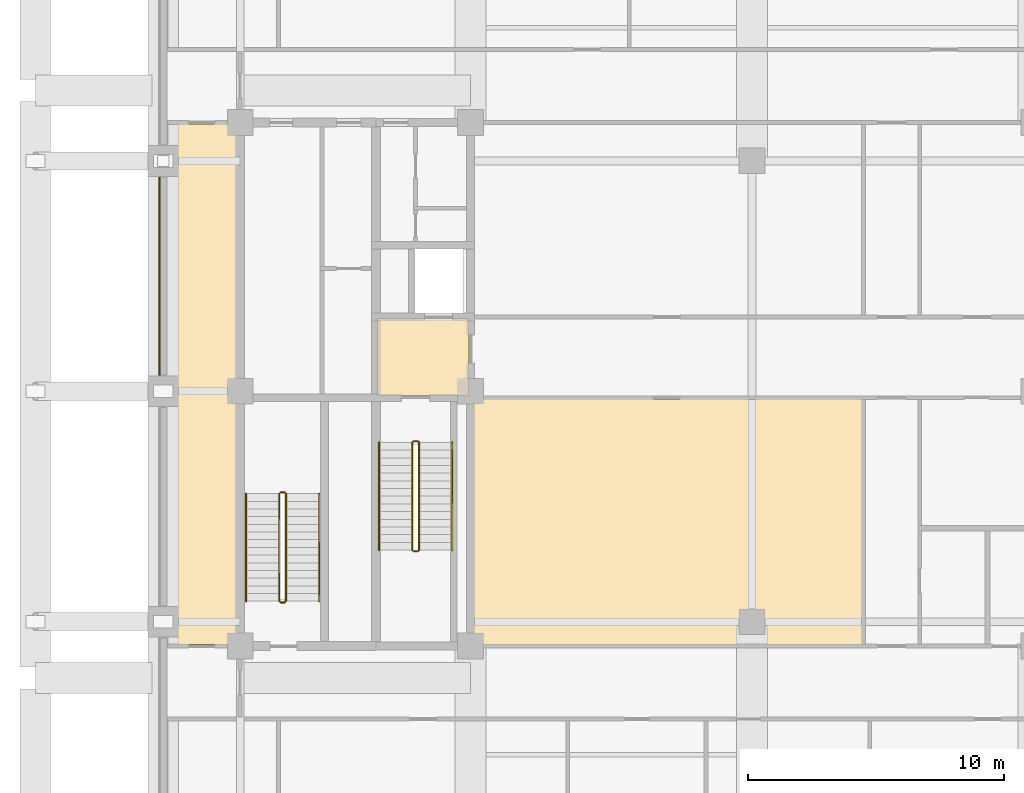
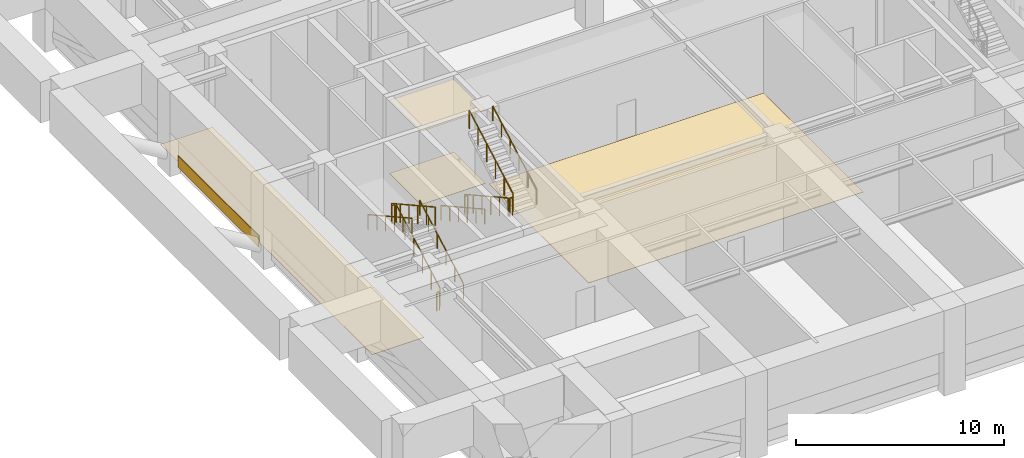
# One storey, part 8 of 11: 12 railings, 5 coverings.
"""IFC4 building model written with IfcOpenShell, lengths in metres."""

from ifc_helpers import new_model, si_unit, direction, frame, frame_2d, origin, origin_2d, place, context, subcontext, project, spatial, polyline, rectangle, outline, extrude, material, layer, layer_set, type_object, element, save


model = new_model("IFC4")

# Units and contexts
model_context = context("Model", 3, precision=1e-05, world=origin(), true_north=direction((0.0, 1.0)))
body_context = subcontext(model_context, "Body", "Model", "MODEL_VIEW")
ifc_project = project(units=[si_unit("LENGTHUNIT", "METRE"), si_unit("AREAUNIT", "SQUARE_METRE"), si_unit("VOLUMEUNIT", "CUBIC_METRE"), si_unit("PLANEANGLEUNIT", "RADIAN"), si_unit("MASSUNIT", "GRAM", prefix="KILO")], contexts=[model_context])

# Site, building, storey
site_placement = place(None, origin())
site = spatial("IfcSite", under=ifc_project, at=site_placement, CompositionType="ELEMENT")
building_placement = place(site_placement, origin())
building = spatial("IfcBuilding", under=site, at=building_placement, Name="Zulmaris Gate Convention Tower", CompositionType="ELEMENT")
storey_placement = place(building_placement, frame((0.0, 0.0, 116.349853515625)))
storey = spatial("IfcBuildingStorey", under=building, at=storey_placement, Name="L29", CompositionType="ELEMENT", Elevation=116.349853515625)

# Coverings
ifc_material_1 = material(Name="Precast concrete C40/50", Category="concrete")
ifc_layer_1 = layer(ifc_material_1, 0.0400390625, Name="Precast concrete C40/50")
ifc_layer_set_1 = layer_set([ifc_layer_1], Name="Precast concrete C40/50")
covering_type_1 = type_object("IfcCoveringType", Name="CLAD-SPANDREL-PRECAST", PredefinedType="CLADDING", material=ifc_layer_set_1)
covering_1_placement = place(storey_placement, frame((-23.14990234375, 8.3701171875, 0.0), z_axis=(0.0, 0.0, 1.0), x_axis=(0.0, -1.0, 0.0)))
element("IfcCovering", 1, at=covering_1_placement, inside=storey, type_object=covering_type_1, Name="CLD-L29-W-2_0", PredefinedType="CLADDING", context=body_context, shape_type="SweptSolid", body=[
    extrude(rectangle(XDim=7.740234375, YDim=0.0400390625, at=frame_2d((3.8701171875, 0.0))), origin(), (0.0, 0.0, 1.0), 0.679931640625),
])
ifc_material_2 = material(Name="Mineral Fibre Acoustic Ceiling Tile")
ifc_layer_2 = layer(ifc_material_2, 0.02001953125, Name="Mineral Fibre Acoustic Ceiling Tile")
ifc_layer_set_2 = layer_set([ifc_layer_2], Name="Mineral Fibre Acoustic Ceiling Tile")
covering_type_2 = type_object("IfcCoveringType", Name="CLG-ACOUSTIC-600", PredefinedType="CEILING", material=ifc_layer_set_2)
covering_2_placement = place(storey_placement, frame((0.0, 0.0, 4.295166015625)))
element("IfcCovering", 2, at=covering_2_placement, inside=storey, type_object=covering_type_2, Name="CLG-L29-R03", PredefinedType="CEILING", context=body_context, shape_type="SweptSolid", body=[
    extrude(outline(polyline([(-14.639892578125, -0.18994140625), (-11.06005859375, -0.18994140625), (-11.06005859375, 2.840087890625), (-14.639892578125, 2.840087890625), (-14.639892578125, -0.18994140625)])), origin(), (0.0, 0.0, 1.0), 0.019775390625),
])
ifc_material_3 = material(Name="Woven Acoustic Wool Carpet Tile")
ifc_layer_3 = layer(ifc_material_3, 0.02001953125, Name="Woven Acoustic Wool Carpet Tile")
ifc_layer_set_3 = layer_set([ifc_layer_3], Name="Woven Acoustic Wool Carpet Tile")
covering_type_3 = type_object("IfcCoveringType", Name="FLR-CARPET-12", PredefinedType="FLOORING", material=ifc_layer_set_3)
covering_3_placement = place(storey_placement, origin())
element("IfcCovering", 3, at=covering_3_placement, inside=storey, type_object=covering_type_3, Name="FLR-L29-R03", PredefinedType="FLOORING", context=body_context, shape_type="SweptSolid", body=[
    extrude(outline(polyline([(-14.639892578125, -0.18994140625), (-11.06005859375, -0.18994140625), (-11.06005859375, 2.840087890625), (-14.639892578125, 2.840087890625), (-14.639892578125, -0.18994140625)])), origin(), (0.0, 0.0, 1.0), 0.02001953125),
])
covering_4_placement = place(storey_placement, origin())
element("IfcCovering", 4, at=covering_4_placement, inside=storey, type_object=covering_type_3, Name="FLR-L29-R44", PredefinedType="FLOORING", context=body_context, shape_type="SweptSolid", body=[
    extrude(outline(polyline([(-10.93994140625, -9.889892578125), (4.2900390625, -9.889892578125), (4.2900390625, -0.31005859375), (-10.93994140625, -0.31005859375), (-10.93994140625, -9.889892578125)])), origin(), (0.0, 0.0, 1.0), 0.02001953125),
])
covering_5_placement = place(storey_placement, origin())
element("IfcCovering", 5, at=covering_5_placement, inside=storey, type_object=covering_type_3, Name="FLR-L29-R50", PredefinedType="FLOORING", context=body_context, shape_type="SweptSolid", body=[
    extrude(outline(polyline([(-22.93994140625, -9.889892578125), (-20.06005859375, -9.889892578125), (-20.06005859375, 10.43994140625), (-22.93994140625, 10.43994140625), (-22.93994140625, -9.889892578125)])), origin(), (0.0, 0.0, 1.0), 0.02001953125),
])

# Railings
ifc_material_4 = material(Name="Painted Galvanised Steel", Category="steel")
railing_type_1 = type_object("IfcRailingType", Name="RL-STG-1150", PredefinedType="GUARDRAIL", material=ifc_material_4)
railing_1_placement = place(storey_placement, frame((-13.27001953125, -2.0, 0.166748046875)))
element("IfcRailing", 6, at=railing_1_placement, inside=storey, type_object=railing_type_1, Name="L29 ST-1 stair guard 1", PredefinedType="GUARDRAIL", context=body_context, shape_type="SweptSolid", body=[
    extrude(rectangle(XDim=0.048095703125, YDim=0.048095703125, at=origin_2d()), frame((0.0, 0.0, 1.076171875), z_axis=(0.0, -0.874162069901, 0.485634302275), x_axis=(1.0, 0.0, 0.0)), (0.0, 0.0, 1.0), 4.804443359375),
    extrude(rectangle(XDim=0.0419921875, YDim=0.0419921875, at=origin_2d()), origin(), (0.0, 0.0, 1.0), 1.052001953125),
    extrude(rectangle(XDim=0.0419921875, YDim=0.0419921875, at=origin_2d()), frame((0.0, -0.840087890625, 0.466552734375)), (0.0, 0.0, 1.0), 1.052001953125),
    extrude(rectangle(XDim=0.0419921875, YDim=0.0419921875, at=origin_2d()), frame((0.0, -1.679931640625, 0.933349609375)), (0.0, 0.0, 1.0), 1.052001953125),
    extrude(rectangle(XDim=0.0419921875, YDim=0.0419921875, at=origin_2d()), frame((0.0, -2.52001953125, 1.39990234375)), (0.0, 0.0, 1.0), 1.052001953125),
    extrude(rectangle(XDim=0.0419921875, YDim=0.0419921875, at=origin_2d()), frame((0.0, -3.35986328125, 1.86669921875)), (0.0, 0.0, 1.0), 1.052001953125),
    extrude(rectangle(XDim=0.0419921875, YDim=0.0419921875, at=origin_2d()), frame((0.0, -4.199951171875, 2.333251953125)), (0.0, 0.0, 1.0), 1.052001953125),
])
railing_2_placement = place(storey_placement, frame((-13.219970703125, -6.25, 2.5)))
element("IfcRailing", 7, at=railing_2_placement, inside=storey, type_object=railing_type_1, Name="L29 ST-1 stair guard 2", PredefinedType="GUARDRAIL", context=body_context, shape_type="SweptSolid", body=[
    extrude(rectangle(XDim=0.048095703125, YDim=0.048095703125, at=origin_2d()), frame((0.0, 0.0, 1.076171875), z_axis=(1.0, 0.0, 0.0), x_axis=(0.0, 1.0, 0.0)), (0.0, 0.0, 1.0), 0.159912109375),
    extrude(rectangle(XDim=0.0419921875, YDim=0.0419921875, at=origin_2d()), origin(), (0.0, 0.0, 1.0), 1.052001953125),
    extrude(rectangle(XDim=0.0419921875, YDim=0.0419921875, at=origin_2d()), frame((0.159912109375, 0.0, 0.0)), (0.0, 0.0, 1.0), 1.052001953125),
])
railing_3_placement = place(storey_placement, frame((-13.010009765625, -6.199951171875, 2.666748046875)))
element("IfcRailing", 8, at=railing_3_placement, inside=storey, type_object=railing_type_1, Name="L29 ST-1 stair guard 3", PredefinedType="GUARDRAIL", context=body_context, shape_type="SweptSolid", body=[
    extrude(rectangle(XDim=0.048095703125, YDim=0.048095703125, at=origin_2d()), frame((0.0, 0.0, 1.076171875), z_axis=(0.0, 0.874162069901, 0.485634302275), x_axis=(-1.0, 0.0, 0.0)), (0.0, 0.0, 1.0), 4.804443359375),
    extrude(rectangle(XDim=0.0419921875, YDim=0.0419921875, at=origin_2d()), origin(), (0.0, 0.0, 1.0), 1.052001953125),
    extrude(rectangle(XDim=0.0419921875, YDim=0.0419921875, at=origin_2d()), frame((0.0, 0.840087890625, 0.466552734375)), (0.0, 0.0, 1.0), 1.052001953125),
    extrude(rectangle(XDim=0.0419921875, YDim=0.0419921875, at=origin_2d()), frame((0.0, 1.679931640625, 0.933349609375)), (0.0, 0.0, 1.0), 1.052001953125),
    extrude(rectangle(XDim=0.0419921875, YDim=0.0419921875, at=origin_2d()), frame((0.0, 2.52001953125, 1.39990234375)), (0.0, 0.0, 1.0), 1.052001953125),
    extrude(rectangle(XDim=0.0419921875, YDim=0.0419921875, at=origin_2d()), frame((0.0, 3.35986328125, 1.86669921875)), (0.0, 0.0, 1.0), 1.052001953125),
    extrude(rectangle(XDim=0.0419921875, YDim=0.0419921875, at=origin_2d()), frame((0.0, 4.199951171875, 2.333251953125)), (0.0, 0.0, 1.0), 1.052001953125),
])
railing_4_placement = place(storey_placement, frame((-13.219970703125, -1.949951171875, 0.0)))
element("IfcRailing", 9, at=railing_4_placement, inside=storey, type_object=railing_type_1, Name="L29 ST-1 stair guard 4", PredefinedType="GUARDRAIL", context=body_context, shape_type="SweptSolid", body=[
    extrude(rectangle(XDim=0.048095703125, YDim=0.048095703125, at=origin_2d()), frame((0.0, 0.0, 1.076171875), z_axis=(1.0, 0.0, 0.0), x_axis=(0.0, 1.0, 0.0)), (0.0, 0.0, 1.0), 0.159912109375),
    extrude(rectangle(XDim=0.0419921875, YDim=0.0419921875, at=origin_2d()), origin(), (0.0, 0.0, 1.0), 1.052001953125),
    extrude(rectangle(XDim=0.0419921875, YDim=0.0419921875, at=origin_2d()), frame((0.159912109375, 0.0, 0.0)), (0.0, 0.0, 1.0), 1.052001953125),
])
railing_5_placement = place(storey_placement, frame((-18.2099609375, -8.199951171875, 0.166748046875)))
element("IfcRailing", 10, at=railing_5_placement, inside=storey, type_object=railing_type_1, Name="L29 ST-3 stair guard 1", PredefinedType="GUARDRAIL", context=body_context, shape_type="SweptSolid", body=[
    extrude(rectangle(XDim=0.048095703125, YDim=0.048095703125, at=origin_2d()), frame((0.0, 0.0, 1.076171875), z_axis=(0.0, 0.874162069901, 0.485634302275), x_axis=(-1.0, 0.0, 0.0)), (0.0, 0.0, 1.0), 4.804443359375),
    extrude(rectangle(XDim=0.0419921875, YDim=0.0419921875, at=origin_2d()), origin(), (0.0, 0.0, 1.0), 1.052001953125),
    extrude(rectangle(XDim=0.0419921875, YDim=0.0419921875, at=origin_2d()), frame((0.0, 0.840087890625, 0.466552734375)), (0.0, 0.0, 1.0), 1.052001953125),
    extrude(rectangle(XDim=0.0419921875, YDim=0.0419921875, at=origin_2d()), frame((0.0, 1.679931640625, 0.933349609375)), (0.0, 0.0, 1.0), 1.052001953125),
    extrude(rectangle(XDim=0.0419921875, YDim=0.0419921875, at=origin_2d()), frame((0.0, 2.52001953125, 1.39990234375)), (0.0, 0.0, 1.0), 1.052001953125),
    extrude(rectangle(XDim=0.0419921875, YDim=0.0419921875, at=origin_2d()), frame((0.0, 3.35986328125, 1.86669921875)), (0.0, 0.0, 1.0), 1.052001953125),
    extrude(rectangle(XDim=0.0419921875, YDim=0.0419921875, at=origin_2d()), frame((0.0, 4.199951171875, 2.333251953125)), (0.0, 0.0, 1.0), 1.052001953125),
])
railing_6_placement = place(storey_placement, frame((-18.260009765625, -3.949951171875, 2.5)))
element("IfcRailing", 11, at=railing_6_placement, inside=storey, type_object=railing_type_1, Name="L29 ST-3 stair guard 2", PredefinedType="GUARDRAIL", context=body_context, shape_type="SweptSolid", body=[
    extrude(rectangle(XDim=0.048095703125, YDim=0.048095703125, at=origin_2d()), frame((0.0, 0.0, 1.076171875), z_axis=(-1.0, 0.0, 0.0), x_axis=(0.0, -1.0, 0.0)), (0.0, 0.0, 1.0), 0.159912109375),
    extrude(rectangle(XDim=0.0419921875, YDim=0.0419921875, at=origin_2d()), origin(), (0.0, 0.0, 1.0), 1.052001953125),
    extrude(rectangle(XDim=0.0419921875, YDim=0.0419921875, at=origin_2d()), frame((-0.159912109375, 0.0, 0.0)), (0.0, 0.0, 1.0), 1.052001953125),
])
railing_7_placement = place(storey_placement, frame((-18.469970703125, -4.0, 2.666748046875)))
element("IfcRailing", 12, at=railing_7_placement, inside=storey, type_object=railing_type_1, Name="L29 ST-3 stair guard 3", PredefinedType="GUARDRAIL", context=body_context, shape_type="SweptSolid", body=[
    extrude(rectangle(XDim=0.048095703125, YDim=0.048095703125, at=origin_2d()), frame((0.0, 0.0, 1.076171875), z_axis=(0.0, -0.874162069901, 0.485634302275), x_axis=(1.0, 0.0, 0.0)), (0.0, 0.0, 1.0), 4.804443359375),
    extrude(rectangle(XDim=0.0419921875, YDim=0.0419921875, at=origin_2d()), origin(), (0.0, 0.0, 1.0), 1.052001953125),
    extrude(rectangle(XDim=0.0419921875, YDim=0.0419921875, at=origin_2d()), frame((0.0, -0.840087890625, 0.466552734375)), (0.0, 0.0, 1.0), 1.052001953125),
    extrude(rectangle(XDim=0.0419921875, YDim=0.0419921875, at=origin_2d()), frame((0.0, -1.679931640625, 0.933349609375)), (0.0, 0.0, 1.0), 1.052001953125),
    extrude(rectangle(XDim=0.0419921875, YDim=0.0419921875, at=origin_2d()), frame((0.0, -2.52001953125, 1.39990234375)), (0.0, 0.0, 1.0), 1.052001953125),
    extrude(rectangle(XDim=0.0419921875, YDim=0.0419921875, at=origin_2d()), frame((0.0, -3.35986328125, 1.86669921875)), (0.0, 0.0, 1.0), 1.052001953125),
    extrude(rectangle(XDim=0.0419921875, YDim=0.0419921875, at=origin_2d()), frame((0.0, -4.199951171875, 2.333251953125)), (0.0, 0.0, 1.0), 1.052001953125),
])
railing_8_placement = place(storey_placement, frame((-18.260009765625, -8.25, 0.0)))
element("IfcRailing", 13, at=railing_8_placement, inside=storey, type_object=railing_type_1, Name="L29 ST-3 stair guard 4", PredefinedType="GUARDRAIL", context=body_context, shape_type="SweptSolid", body=[
    extrude(rectangle(XDim=0.048095703125, YDim=0.048095703125, at=origin_2d()), frame((0.0, 0.0, 1.076171875), z_axis=(-1.0, 0.0, 0.0), x_axis=(0.0, -1.0, 0.0)), (0.0, 0.0, 1.0), 0.159912109375),
    extrude(rectangle(XDim=0.0419921875, YDim=0.0419921875, at=origin_2d()), origin(), (0.0, 0.0, 1.0), 1.052001953125),
    extrude(rectangle(XDim=0.0419921875, YDim=0.0419921875, at=origin_2d()), frame((-0.159912109375, 0.0, 0.0)), (0.0, 0.0, 1.0), 1.052001953125),
])
ifc_material_5 = material(Name="Brushed Stainless Steel", Category="steel")
railing_type_2 = type_object("IfcRailingType", Name="RL-STH-900", PredefinedType="HANDRAIL", material=ifc_material_5)
railing_9_placement = place(storey_placement, frame((-14.570068359375, -2.0, 0.166748046875)))
element("IfcRailing", 14, at=railing_9_placement, inside=storey, type_object=railing_type_2, Name="L29 ST-1 stair handrail 1", PredefinedType="HANDRAIL", context=body_context, shape_type="SweptSolid", body=[
    extrude(rectangle(XDim=0.048095703125, YDim=0.048095703125, at=origin_2d()), frame((0.0, 0.0, 0.8759765625), z_axis=(0.0, -0.874162069901, 0.485634302275), x_axis=(1.0, 0.0, 0.0)), (0.0, 0.0, 1.0), 4.804443359375),
    extrude(rectangle(XDim=0.0419921875, YDim=0.0419921875, at=origin_2d()), origin(), (0.0, 0.0, 1.0), 0.851806640625),
    extrude(rectangle(XDim=0.0419921875, YDim=0.0419921875, at=origin_2d()), frame((0.0, -0.840087890625, 0.466552734375)), (0.0, 0.0, 1.0), 0.851806640625),
    extrude(rectangle(XDim=0.0419921875, YDim=0.0419921875, at=origin_2d()), frame((0.0, -1.679931640625, 0.933349609375)), (0.0, 0.0, 1.0), 0.851806640625),
    extrude(rectangle(XDim=0.0419921875, YDim=0.0419921875, at=origin_2d()), frame((0.0, -2.52001953125, 1.39990234375)), (0.0, 0.0, 1.0), 0.851806640625),
    extrude(rectangle(XDim=0.0419921875, YDim=0.0419921875, at=origin_2d()), frame((0.0, -3.35986328125, 1.86669921875)), (0.0, 0.0, 1.0), 0.851806640625),
    extrude(rectangle(XDim=0.0419921875, YDim=0.0419921875, at=origin_2d()), frame((0.0, -4.199951171875, 2.333251953125)), (0.0, 0.0, 1.0), 0.851806640625),
])
for number, where, name in (
    (15, (-11.7099609375, -6.199951171875, 2.666748046875), "L29 ST-1 stair handrail 2"),
    (16, (-16.909912109375, -8.199951171875, 0.166748046875), "L29 ST-3 stair handrail 1"),
):
    element("IfcRailing", number, at=place(storey_placement, frame(where)), inside=storey, type_object=railing_type_2, Name=name, PredefinedType="HANDRAIL", context=body_context, shape_type="SweptSolid", body=[
        extrude(rectangle(XDim=0.048095703125, YDim=0.048095703125, at=origin_2d()), frame((0.0, 0.0, 0.8759765625), z_axis=(0.0, 0.874162069901, 0.485634302275), x_axis=(-1.0, 0.0, 0.0)), (0.0, 0.0, 1.0), 4.804443359375),
        extrude(rectangle(XDim=0.0419921875, YDim=0.0419921875, at=origin_2d()), origin(), (0.0, 0.0, 1.0), 0.851806640625),
        extrude(rectangle(XDim=0.0419921875, YDim=0.0419921875, at=origin_2d()), frame((0.0, 0.840087890625, 0.466552734375)), (0.0, 0.0, 1.0), 0.851806640625),
        extrude(rectangle(XDim=0.0419921875, YDim=0.0419921875, at=origin_2d()), frame((0.0, 1.679931640625, 0.933349609375)), (0.0, 0.0, 1.0), 0.851806640625),
        extrude(rectangle(XDim=0.0419921875, YDim=0.0419921875, at=origin_2d()), frame((0.0, 2.52001953125, 1.39990234375)), (0.0, 0.0, 1.0), 0.851806640625),
        extrude(rectangle(XDim=0.0419921875, YDim=0.0419921875, at=origin_2d()), frame((0.0, 3.35986328125, 1.86669921875)), (0.0, 0.0, 1.0), 0.851806640625),
        extrude(rectangle(XDim=0.0419921875, YDim=0.0419921875, at=origin_2d()), frame((0.0, 4.199951171875, 2.333251953125)), (0.0, 0.0, 1.0), 0.851806640625),
    ])
railing_10_placement = place(storey_placement, frame((-19.77001953125, -4.0, 2.666748046875)))
element("IfcRailing", 17, at=railing_10_placement, inside=storey, type_object=railing_type_2, Name="L29 ST-3 stair handrail 2", PredefinedType="HANDRAIL", context=body_context, shape_type="SweptSolid", body=[
    extrude(rectangle(XDim=0.048095703125, YDim=0.048095703125, at=origin_2d()), frame((0.0, 0.0, 0.8759765625), z_axis=(0.0, -0.874162069901, 0.485634302275), x_axis=(1.0, 0.0, 0.0)), (0.0, 0.0, 1.0), 4.804443359375),
    extrude(rectangle(XDim=0.0419921875, YDim=0.0419921875, at=origin_2d()), origin(), (0.0, 0.0, 1.0), 0.851806640625),
    extrude(rectangle(XDim=0.0419921875, YDim=0.0419921875, at=origin_2d()), frame((0.0, -0.840087890625, 0.466552734375)), (0.0, 0.0, 1.0), 0.851806640625),
    extrude(rectangle(XDim=0.0419921875, YDim=0.0419921875, at=origin_2d()), frame((0.0, -1.679931640625, 0.933349609375)), (0.0, 0.0, 1.0), 0.851806640625),
    extrude(rectangle(XDim=0.0419921875, YDim=0.0419921875, at=origin_2d()), frame((0.0, -2.52001953125, 1.39990234375)), (0.0, 0.0, 1.0), 0.851806640625),
    extrude(rectangle(XDim=0.0419921875, YDim=0.0419921875, at=origin_2d()), frame((0.0, -3.35986328125, 1.86669921875)), (0.0, 0.0, 1.0), 0.851806640625),
    extrude(rectangle(XDim=0.0419921875, YDim=0.0419921875, at=origin_2d()), frame((0.0, -4.199951171875, 2.333251953125)), (0.0, 0.0, 1.0), 0.851806640625),
])

save(model, "model.ifc")
